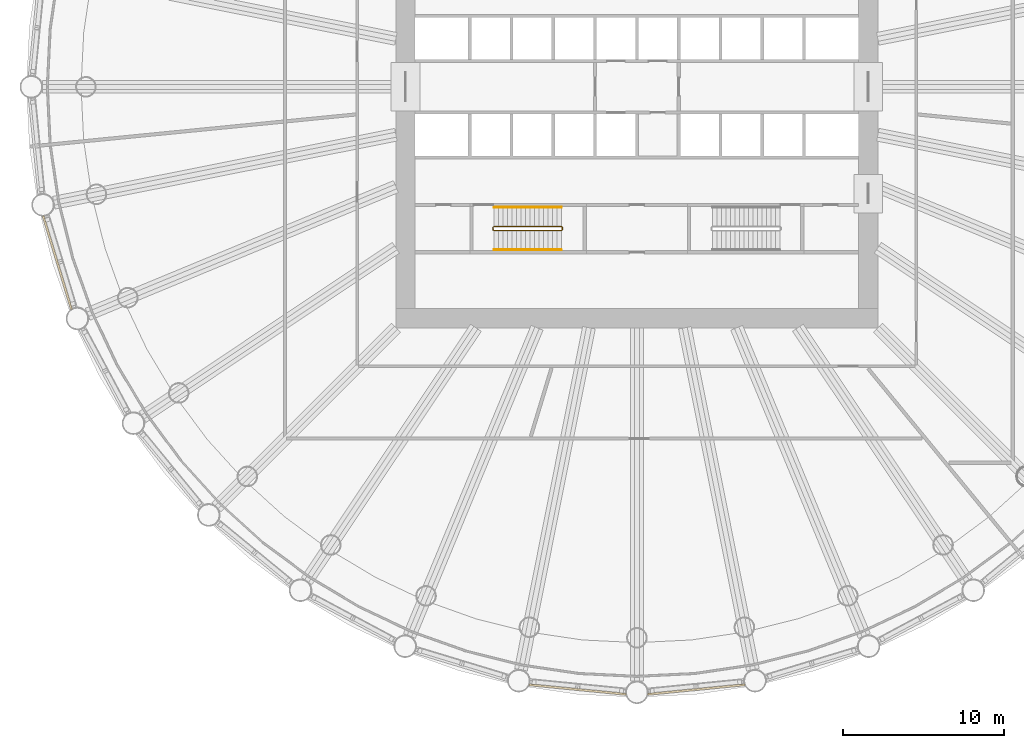
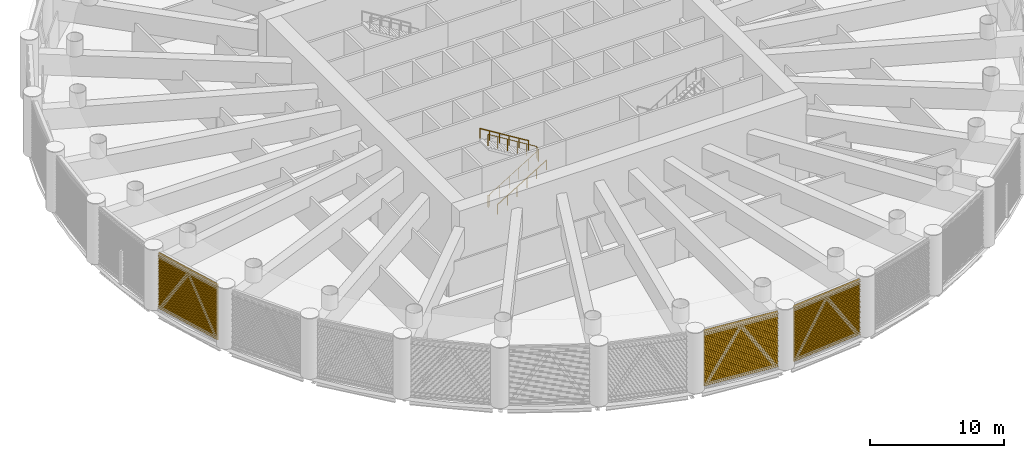
# One storey, part 20 of 26: 3 railings, 3 shading devices, 3 elements without a shape of their own.
"""IFC4 building model written with IfcOpenShell, lengths in metres."""

from ifc_helpers import new_model, si_unit, direction, frame, origin, origin_2d, place, context, subcontext, project, spatial, polyline, circle, outline, extrude, material, material_profile, profile_set, type_object, element, aggregate, save


model = new_model("IFC4")

# Units and contexts
model_context = context("Model", 3, precision=1e-05, world=origin(), true_north=direction((0.0, 1.0)))
body_context = subcontext(model_context, "Body", "Model", "MODEL_VIEW")
ifc_project = project(units=[si_unit("LENGTHUNIT", "METRE"), si_unit("AREAUNIT", "SQUARE_METRE"), si_unit("VOLUMEUNIT", "CUBIC_METRE"), si_unit("PLANEANGLEUNIT", "RADIAN"), si_unit("MASSUNIT", "GRAM", prefix="KILO")], contexts=[model_context])

# Site, building, storey
site_placement = place(None, origin())
site = spatial("IfcSite", under=ifc_project, at=site_placement, CompositionType="ELEMENT")
building_placement = place(site_placement, origin())
building = spatial("IfcBuilding", under=site, at=building_placement, Name="Corvane Civic Tower", CompositionType="ELEMENT")
storey_placement = place(building_placement, frame((0.0, 0.0, 85.0)))
storey = spatial("IfcBuildingStorey", under=building, at=storey_placement, Name="L19", CompositionType="ELEMENT", Elevation=85.0)

# Railings
ifc_material_1 = material(Name="Steel ASTM A572 Gr 50", Category="steel")
railing_type_1 = type_object("IfcRailingType", Name="ST-GUARD-1100", PredefinedType="GUARDRAIL", material=ifc_material_1)
railing_1_placement = place(storey_placement, frame((-8.949951171875, -8.75, 0.0)))
element("IfcRailing", 1, at=railing_1_placement, inside=storey, type_object=railing_type_1, Name="L19 ST3 stair guard 1", PredefinedType="GUARDRAIL", context=body_context, shape_type="SweptSolid", body=[
    extrude(circle(Radius=0.02392578125, at=origin_2d()), frame((0.0, 0.0, 1.076171875), z_axis=(0.0, -1.0, 0.0), x_axis=(1.0, 0.0, 0.0)), (0.0, 0.0, 1.0), 0.14990234375),
    extrude(circle(Radius=0.02392578125, at=origin_2d()), frame((0.0, -0.14990234375, 1.076171875), z_axis=(0.269255725606, -0.269255725606, 0.92466356501), x_axis=(0.707106781187, 0.707106781187, 0.0)), (0.0, 0.0, 1.0), 0.185791015625),
    extrude(circle(Radius=0.02392578125, at=origin_2d()), frame((0.050048828125, -0.199951171875, 1.248046875), z_axis=(0.852242915053, 0.0, 0.523146264196), x_axis=(0.0, 1.0, 0.0)), (0.0, 0.0, 1.0), 4.92822265625),
    extrude(circle(Radius=0.02392578125, at=origin_2d()), frame((4.25, -0.199951171875, 3.826171875), z_axis=(0.707106781187, 0.707106781187, 0.0), x_axis=(-0.707106781187, 0.707106781187, 0.0)), (0.0, 0.0, 1.0), 0.07080078125),
    extrude(circle(Radius=0.02392578125, at=origin_2d()), frame((4.300048828125, -0.14990234375, 3.826171875), z_axis=(0.0, 1.0, 0.0), x_axis=(-1.0, 0.0, 0.0)), (0.0, 0.0, 1.0), 0.14990234375),
    extrude(circle(Radius=0.02392578125, at=origin_2d()), frame((4.300048828125, 0.0, 3.826171875), z_axis=(-0.269255725606, 0.269255725606, 0.92466356501), x_axis=(-0.707106781187, -0.707106781187, 0.0)), (0.0, 0.0, 1.0), 0.185791015625),
    extrude(circle(Radius=0.02392578125, at=origin_2d()), frame((4.25, 0.050048828125, 3.998046875), z_axis=(-0.852242915053, 0.0, 0.523146264196), x_axis=(0.0, -1.0, 0.0)), (0.0, 0.0, 1.0), 4.92822265625),
    extrude(circle(Radius=0.02099609375, at=origin_2d()), origin(), (0.0, 0.0, 1.0), 1.052001953125),
    extrude(circle(Radius=0.02099609375, at=origin_2d()), frame((0.0, -0.14990234375, 0.0)), (0.0, 0.0, 1.0), 1.052001953125),
    extrude(circle(Radius=0.02099609375, at=origin_2d()), frame((0.050048828125, -0.199951171875, 0.171875)), (0.0, 0.0, 1.0), 1.052001953125),
    extrude(circle(Radius=0.02099609375, at=origin_2d()), frame((0.89013671875, -0.199951171875, 0.6875)), (0.0, 0.0, 1.0), 1.052001953125),
    extrude(circle(Radius=0.02099609375, at=origin_2d()), frame((1.72998046875, -0.199951171875, 1.203125)), (0.0, 0.0, 1.0), 1.052001953125),
    extrude(circle(Radius=0.02099609375, at=origin_2d()), frame((2.570068359375, -0.199951171875, 1.71875)), (0.0, 0.0, 1.0), 1.052001953125),
    extrude(circle(Radius=0.02099609375, at=origin_2d()), frame((3.409912109375, -0.199951171875, 2.234375)), (0.0, 0.0, 1.0), 1.052001953125),
    extrude(circle(Radius=0.02099609375, at=origin_2d()), frame((4.25, -0.199951171875, 2.75)), (0.0, 0.0, 1.0), 1.052001953125),
    extrude(circle(Radius=0.02099609375, at=origin_2d()), frame((4.300048828125, -0.14990234375, 2.75)), (0.0, 0.0, 1.0), 1.052001953125),
    extrude(circle(Radius=0.02099609375, at=origin_2d()), frame((4.300048828125, 0.0, 2.75)), (0.0, 0.0, 1.0), 1.052001953125),
    extrude(circle(Radius=0.02099609375, at=origin_2d()), frame((4.25, 0.050048828125, 2.921875)), (0.0, 0.0, 1.0), 1.052001953125),
    extrude(circle(Radius=0.02099609375, at=origin_2d()), frame((3.409912109375, 0.050048828125, 3.4375)), (0.0, 0.0, 1.0), 1.052001953125),
    extrude(circle(Radius=0.02099609375, at=origin_2d()), frame((2.570068359375, 0.050048828125, 3.953125)), (0.0, 0.0, 1.0), 1.052001953125),
    extrude(circle(Radius=0.02099609375, at=origin_2d()), frame((1.72998046875, 0.050048828125, 4.46875)), (0.0, 0.0, 1.0), 1.052001953125),
    extrude(circle(Radius=0.02099609375, at=origin_2d()), frame((0.89013671875, 0.050048828125, 4.984375)), (0.0, 0.0, 1.0), 1.052001953125),
    extrude(circle(Radius=0.02099609375, at=origin_2d()), frame((0.050048828125, 0.050048828125, 5.5)), (0.0, 0.0, 1.0), 1.052001953125),
])
ifc_material_2 = material(Name="Steel ASTM A572 Gr 50", Category="steel")
railing_type_2 = type_object("IfcRailingType", Name="ST-HANDRAIL-900", PredefinedType="HANDRAIL", material=ifc_material_2)
railing_2_placement = place(storey_placement, frame((-8.89990234375, -10.14990234375, 0.171875)))
element("IfcRailing", 2, at=railing_2_placement, inside=storey, type_object=railing_type_2, Name="L19 ST3 stair handrail 1", PredefinedType="HANDRAIL", context=body_context, shape_type="SweptSolid", body=[
    extrude(circle(Radius=0.02392578125, at=origin_2d()), frame((0.0, 0.0, 0.8759765625), z_axis=(0.852242915053, 0.0, 0.523146264196), x_axis=(0.0, 1.0, 0.0)), (0.0, 0.0, 1.0), 4.92822265625),
    extrude(circle(Radius=0.02099609375, at=origin_2d()), origin(), (0.0, 0.0, 1.0), 0.851806640625),
    extrude(circle(Radius=0.02099609375, at=origin_2d()), frame((0.840087890625, 0.0, 0.515625)), (0.0, 0.0, 1.0), 0.851806640625),
    extrude(circle(Radius=0.02099609375, at=origin_2d()), frame((1.679931640625, 0.0, 1.03125)), (0.0, 0.0, 1.0), 0.851806640625),
    extrude(circle(Radius=0.02099609375, at=origin_2d()), frame((2.52001953125, 0.0, 1.546875)), (0.0, 0.0, 1.0), 0.851806640625),
    extrude(circle(Radius=0.02099609375, at=origin_2d()), frame((3.35986328125, 0.0, 2.0625)), (0.0, 0.0, 1.0), 0.851806640625),
    extrude(circle(Radius=0.02099609375, at=origin_2d()), frame((4.199951171875, 0.0, 2.578125)), (0.0, 0.0, 1.0), 0.851806640625),
])
railing_3_placement = place(storey_placement, frame((-4.699951171875, -7.5, 2.921875)))
element("IfcRailing", 3, at=railing_3_placement, inside=storey, type_object=railing_type_2, Name="L19 ST3 stair handrail 2", PredefinedType="HANDRAIL", context=body_context, shape_type="SweptSolid", body=[
    extrude(circle(Radius=0.02392578125, at=origin_2d()), frame((0.0, 0.0, 0.8759765625), z_axis=(-0.852242915053, 0.0, 0.523146264196), x_axis=(0.0, -1.0, 0.0)), (0.0, 0.0, 1.0), 4.92822265625),
    extrude(circle(Radius=0.02099609375, at=origin_2d()), origin(), (0.0, 0.0, 1.0), 0.851806640625),
    extrude(circle(Radius=0.02099609375, at=origin_2d()), frame((-0.840087890625, 0.0, 0.515625)), (0.0, 0.0, 1.0), 0.851806640625),
    extrude(circle(Radius=0.02099609375, at=origin_2d()), frame((-1.679931640625, 0.0, 1.03125)), (0.0, 0.0, 1.0), 0.851806640625),
    extrude(circle(Radius=0.02099609375, at=origin_2d()), frame((-2.52001953125, 0.0, 1.546875)), (0.0, 0.0, 1.0), 0.851806640625),
    extrude(circle(Radius=0.02099609375, at=origin_2d()), frame((-3.35986328125, 0.0, 2.0625)), (0.0, 0.0, 1.0), 0.851806640625),
    extrude(circle(Radius=0.02099609375, at=origin_2d()), frame((-4.199951171875, 0.0, 2.578125)), (0.0, 0.0, 1.0), 0.851806640625),
])

# Curtain wall, shading device
ifc_material_3 = material(Name="Anodised aluminium bronze", Category="aluminium")
curtain_wall_type = type_object("IfcCurtainWallType", Name="TOWER CW-LV LOUVRE SCREEN WALL", PredefinedType="NOTDEFINED", material=ifc_material_3)
curtain_wall_1_placement = place(storey_placement, origin())
curtain_wall_1 = element("IfcCurtainWall", 4, at=curtain_wall_1_placement, inside=storey, type_object=curtain_wall_type, Name="Louvre screen wall CW-LV L19 bay 16", PredefinedType="NOTDEFINED")
ifc_material_4 = material(Name="Anodised aluminium bronze", Category="aluminium")
ifc_material_profile = material_profile(ifc_material_4, outline(polyline([(-0.06005859375, -2.56494140625), (-0.0400390625, -2.56494140625), (0.06005859375, -2.492919921875), (0.06005859375, -2.472900390625), (-0.0400390625, -2.544921875), (-0.0400390625, -2.4140625), (0.06005859375, -2.342041015625), (0.06005859375, -2.322021484375), (-0.0400390625, -2.39404296875), (-0.0400390625, -2.26318359375), (0.06005859375, -2.191162109375), (0.06005859375, -2.171142578125), (-0.0400390625, -2.2431640625), (-0.0400390625, -2.1123046875), (0.06005859375, -2.040283203125), (0.06005859375, -2.0205078125), (-0.0400390625, -2.09228515625), (-0.0400390625, -1.96142578125), (0.06005859375, -1.889404296875), (0.06005859375, -1.869384765625), (-0.0400390625, -1.94140625), (-0.0400390625, -1.810546875), (0.06005859375, -1.738525390625), (0.06005859375, -1.718505859375), (-0.0400390625, -1.79052734375), (-0.0400390625, -1.65966796875), (0.06005859375, -1.587646484375), (0.06005859375, -1.567626953125), (-0.0400390625, -1.6396484375), (-0.0400390625, -1.5087890625), (0.06005859375, -1.436767578125), (0.06005859375, -1.416748046875), (-0.0400390625, -1.48876953125), (-0.0400390625, -1.35791015625), (0.06005859375, -1.285888671875), (0.06005859375, -1.265869140625), (-0.0400390625, -1.337890625), (-0.0400390625, -1.20703125), (0.06005859375, -1.135009765625), (0.06005859375, -1.114990234375), (-0.0400390625, -1.18701171875), (-0.0400390625, -1.05615234375), (0.06005859375, -0.984130859375), (0.06005859375, -0.964111328125), (-0.0400390625, -1.0361328125), (-0.0400390625, -0.9052734375), (0.06005859375, -0.833251953125), (0.06005859375, -0.813232421875), (-0.0400390625, -0.88525390625), (-0.0400390625, -0.75439453125), (0.06005859375, -0.682373046875), (0.06005859375, -0.662353515625), (-0.0400390625, -0.734375), (-0.0400390625, -0.603515625), (0.06005859375, -0.531494140625), (0.06005859375, -0.511474609375), (-0.0400390625, -0.58349609375), (-0.0400390625, -0.45263671875), (0.06005859375, -0.380615234375), (0.06005859375, -0.360595703125), (-0.0400390625, -0.4326171875), (-0.0400390625, -0.3017578125), (0.06005859375, -0.229736328125), (0.06005859375, -0.209716796875), (-0.0400390625, -0.28173828125), (-0.0400390625, -0.15087890625), (0.06005859375, -0.078857421875), (0.06005859375, -0.058837890625), (-0.0400390625, -0.130859375), (-0.0400390625, 0.0), (0.06005859375, 0.072021484375), (0.06005859375, 0.092041015625), (-0.0400390625, 0.02001953125), (-0.0400390625, 0.15087890625), (0.06005859375, 0.222900390625), (0.06005859375, 0.242919921875), (-0.0400390625, 0.1708984375), (-0.0400390625, 0.3017578125), (0.06005859375, 0.373779296875), (0.06005859375, 0.393798828125), (-0.0400390625, 0.32177734375), (-0.0400390625, 0.45263671875), (0.06005859375, 0.524658203125), (0.06005859375, 0.544677734375), (-0.0400390625, 0.47265625), (-0.0400390625, 0.603515625), (0.06005859375, 0.675537109375), (0.06005859375, 0.695556640625), (-0.0400390625, 0.62353515625), (-0.0400390625, 0.75439453125), (0.06005859375, 0.826416015625), (0.06005859375, 0.846435546875), (-0.0400390625, 0.7744140625), (-0.0400390625, 0.9052734375), (0.06005859375, 0.977294921875), (0.06005859375, 0.997314453125), (-0.0400390625, 0.92529296875), (-0.0400390625, 1.05615234375), (0.06005859375, 1.128173828125), (0.06005859375, 1.148193359375), (-0.0400390625, 1.076171875), (-0.0400390625, 1.20703125), (0.06005859375, 1.279052734375), (0.06005859375, 1.299072265625), (-0.0400390625, 1.22705078125), (-0.0400390625, 1.35791015625), (0.06005859375, 1.429931640625), (0.06005859375, 1.449951171875), (-0.0400390625, 1.3779296875), (-0.0400390625, 1.5087890625), (0.06005859375, 1.580810546875), (0.06005859375, 1.600830078125), (-0.0400390625, 1.52880859375), (-0.0400390625, 1.65966796875), (0.06005859375, 1.731689453125), (0.06005859375, 1.751708984375), (-0.0400390625, 1.6796875), (-0.0400390625, 1.810546875), (0.06005859375, 1.882568359375), (0.06005859375, 1.902587890625), (-0.0400390625, 1.83056640625), (-0.0400390625, 1.96142578125), (0.06005859375, 2.033447265625), (0.06005859375, 2.053466796875), (-0.0400390625, 1.9814453125), (-0.0400390625, 2.1123046875), (0.06005859375, 2.184326171875), (0.06005859375, 2.204345703125), (-0.0400390625, 2.13232421875), (-0.0400390625, 2.26318359375), (0.06005859375, 2.335205078125), (0.06005859375, 2.355224609375), (-0.0400390625, 2.283203125), (-0.0400390625, 2.4140625), (0.06005859375, 2.486083984375), (0.06005859375, 2.506103515625), (-0.0400390625, 2.43408203125), (-0.0400390625, 2.56494140625), (-0.06005859375, 2.56494140625), (-0.06005859375, -2.56494140625)])), Name="TOWER LOUVRE BANK 5130 BRONZE")
ifc_profile_set = profile_set([ifc_material_profile], Name="Anodised aluminium bronze")
shading_device_type = type_object("IfcShadingDeviceType", Name="TOWER LOUVRE BANK 5130 BRONZE", PredefinedType="USERDEFINED", material=ifc_profile_set)
shading_device_1_placement = place(storey_placement, frame((6.72900390625, -37.21728515625, 2.68505859375), z_axis=(-0.995188262136, -0.097981237525, 0.0), x_axis=(0.097981237525, -0.995188262136, 0.0)))
shading_device_1 = element("IfcShadingDevice", 5, at=shading_device_1_placement, type_object=shading_device_type, Name="Louvre bank L19 16.1", ObjectType="LOUVRE", PredefinedType="USERDEFINED", context=body_context, shape_type="SweptSolid", body=[
    extrude(outline(polyline([(-0.06005859375, -2.56494140625), (-0.0400390625, -2.56494140625), (0.06005859375, -2.492919921875), (0.06005859375, -2.472900390625), (-0.0400390625, -2.544921875), (-0.0400390625, -2.4140625), (0.06005859375, -2.342041015625), (0.06005859375, -2.322021484375), (-0.0400390625, -2.39404296875), (-0.0400390625, -2.26318359375), (0.06005859375, -2.191162109375), (0.06005859375, -2.171142578125), (-0.0400390625, -2.2431640625), (-0.0400390625, -2.1123046875), (0.06005859375, -2.040283203125), (0.06005859375, -2.0205078125), (-0.0400390625, -2.09228515625), (-0.0400390625, -1.96142578125), (0.06005859375, -1.889404296875), (0.06005859375, -1.869384765625), (-0.0400390625, -1.94140625), (-0.0400390625, -1.810546875), (0.06005859375, -1.738525390625), (0.06005859375, -1.718505859375), (-0.0400390625, -1.79052734375), (-0.0400390625, -1.65966796875), (0.06005859375, -1.587646484375), (0.06005859375, -1.567626953125), (-0.0400390625, -1.6396484375), (-0.0400390625, -1.5087890625), (0.06005859375, -1.436767578125), (0.06005859375, -1.416748046875), (-0.0400390625, -1.48876953125), (-0.0400390625, -1.35791015625), (0.06005859375, -1.285888671875), (0.06005859375, -1.265869140625), (-0.0400390625, -1.337890625), (-0.0400390625, -1.20703125), (0.06005859375, -1.135009765625), (0.06005859375, -1.114990234375), (-0.0400390625, -1.18701171875), (-0.0400390625, -1.05615234375), (0.06005859375, -0.984130859375), (0.06005859375, -0.964111328125), (-0.0400390625, -1.0361328125), (-0.0400390625, -0.9052734375), (0.06005859375, -0.833251953125), (0.06005859375, -0.813232421875), (-0.0400390625, -0.88525390625), (-0.0400390625, -0.75439453125), (0.06005859375, -0.682373046875), (0.06005859375, -0.662353515625), (-0.0400390625, -0.734375), (-0.0400390625, -0.603515625), (0.06005859375, -0.531494140625), (0.06005859375, -0.511474609375), (-0.0400390625, -0.58349609375), (-0.0400390625, -0.45263671875), (0.06005859375, -0.380615234375), (0.06005859375, -0.360595703125), (-0.0400390625, -0.4326171875), (-0.0400390625, -0.3017578125), (0.06005859375, -0.229736328125), (0.06005859375, -0.209716796875), (-0.0400390625, -0.28173828125), (-0.0400390625, -0.15087890625), (0.06005859375, -0.078857421875), (0.06005859375, -0.058837890625), (-0.0400390625, -0.130859375), (-0.0400390625, 0.0), (0.06005859375, 0.072021484375), (0.06005859375, 0.092041015625), (-0.0400390625, 0.02001953125), (-0.0400390625, 0.15087890625), (0.06005859375, 0.222900390625), (0.06005859375, 0.242919921875), (-0.0400390625, 0.1708984375), (-0.0400390625, 0.3017578125), (0.06005859375, 0.373779296875), (0.06005859375, 0.393798828125), (-0.0400390625, 0.32177734375), (-0.0400390625, 0.45263671875), (0.06005859375, 0.524658203125), (0.06005859375, 0.544677734375), (-0.0400390625, 0.47265625), (-0.0400390625, 0.603515625), (0.06005859375, 0.675537109375), (0.06005859375, 0.695556640625), (-0.0400390625, 0.62353515625), (-0.0400390625, 0.75439453125), (0.06005859375, 0.826416015625), (0.06005859375, 0.846435546875), (-0.0400390625, 0.7744140625), (-0.0400390625, 0.9052734375), (0.06005859375, 0.977294921875), (0.06005859375, 0.997314453125), (-0.0400390625, 0.92529296875), (-0.0400390625, 1.05615234375), (0.06005859375, 1.128173828125), (0.06005859375, 1.148193359375), (-0.0400390625, 1.076171875), (-0.0400390625, 1.20703125), (0.06005859375, 1.279052734375), (0.06005859375, 1.299072265625), (-0.0400390625, 1.22705078125), (-0.0400390625, 1.35791015625), (0.06005859375, 1.429931640625), (0.06005859375, 1.449951171875), (-0.0400390625, 1.3779296875), (-0.0400390625, 1.5087890625), (0.06005859375, 1.580810546875), (0.06005859375, 1.600830078125), (-0.0400390625, 1.52880859375), (-0.0400390625, 1.65966796875), (0.06005859375, 1.731689453125), (0.06005859375, 1.751708984375), (-0.0400390625, 1.6796875), (-0.0400390625, 1.810546875), (0.06005859375, 1.882568359375), (0.06005859375, 1.902587890625), (-0.0400390625, 1.83056640625), (-0.0400390625, 1.96142578125), (0.06005859375, 2.033447265625), (0.06005859375, 2.053466796875), (-0.0400390625, 1.9814453125), (-0.0400390625, 2.1123046875), (0.06005859375, 2.184326171875), (0.06005859375, 2.204345703125), (-0.0400390625, 2.13232421875), (-0.0400390625, 2.26318359375), (0.06005859375, 2.335205078125), (0.06005859375, 2.355224609375), (-0.0400390625, 2.283203125), (-0.0400390625, 2.4140625), (0.06005859375, 2.486083984375), (0.06005859375, 2.506103515625), (-0.0400390625, 2.43408203125), (-0.0400390625, 2.56494140625), (-0.06005859375, 2.56494140625), (-0.06005859375, -2.56494140625)])), origin(), (0.0, 0.0, 1.0), 6.09716796875),
])
aggregate(curtain_wall_1, [shading_device_1])

curtain_wall_2_placement = place(storey_placement, origin())
curtain_wall_2 = element("IfcCurtainWall", 6, at=curtain_wall_2_placement, inside=storey, type_object=curtain_wall_type, Name="Louvre screen wall CW-LV L19 bay 17", PredefinedType="NOTDEFINED")
shading_device_2_placement = place(storey_placement, frame((-0.6611328125, -37.814697265625, 2.68505859375), z_axis=(-0.995188262136, 0.097981237525, 0.0), x_axis=(-0.097981237525, -0.995188262136, 0.0)))
shading_device_2 = element("IfcShadingDevice", 7, at=shading_device_2_placement, type_object=shading_device_type, Name="Louvre bank L19 17.1", ObjectType="LOUVRE", PredefinedType="USERDEFINED", context=body_context, shape_type="SweptSolid", body=[
    extrude(outline(polyline([(-0.06005859375, -2.56494140625), (-0.0400390625, -2.56494140625), (0.06005859375, -2.492919921875), (0.06005859375, -2.472900390625), (-0.0400390625, -2.544921875), (-0.0400390625, -2.4140625), (0.06005859375, -2.342041015625), (0.06005859375, -2.322021484375), (-0.0400390625, -2.39404296875), (-0.0400390625, -2.26318359375), (0.06005859375, -2.191162109375), (0.06005859375, -2.171142578125), (-0.0400390625, -2.2431640625), (-0.0400390625, -2.1123046875), (0.06005859375, -2.040283203125), (0.06005859375, -2.0205078125), (-0.0400390625, -2.09228515625), (-0.0400390625, -1.96142578125), (0.06005859375, -1.889404296875), (0.06005859375, -1.869384765625), (-0.0400390625, -1.94140625), (-0.0400390625, -1.810546875), (0.06005859375, -1.738525390625), (0.06005859375, -1.718505859375), (-0.0400390625, -1.79052734375), (-0.0400390625, -1.65966796875), (0.06005859375, -1.587646484375), (0.06005859375, -1.567626953125), (-0.0400390625, -1.6396484375), (-0.0400390625, -1.5087890625), (0.06005859375, -1.436767578125), (0.06005859375, -1.416748046875), (-0.0400390625, -1.48876953125), (-0.0400390625, -1.35791015625), (0.06005859375, -1.285888671875), (0.06005859375, -1.265869140625), (-0.0400390625, -1.337890625), (-0.0400390625, -1.20703125), (0.06005859375, -1.135009765625), (0.06005859375, -1.114990234375), (-0.0400390625, -1.18701171875), (-0.0400390625, -1.05615234375), (0.06005859375, -0.984130859375), (0.06005859375, -0.964111328125), (-0.0400390625, -1.0361328125), (-0.0400390625, -0.9052734375), (0.06005859375, -0.833251953125), (0.06005859375, -0.813232421875), (-0.0400390625, -0.88525390625), (-0.0400390625, -0.75439453125), (0.06005859375, -0.682373046875), (0.06005859375, -0.662353515625), (-0.0400390625, -0.734375), (-0.0400390625, -0.603515625), (0.06005859375, -0.531494140625), (0.06005859375, -0.511474609375), (-0.0400390625, -0.58349609375), (-0.0400390625, -0.45263671875), (0.06005859375, -0.380615234375), (0.06005859375, -0.360595703125), (-0.0400390625, -0.4326171875), (-0.0400390625, -0.3017578125), (0.06005859375, -0.229736328125), (0.06005859375, -0.209716796875), (-0.0400390625, -0.28173828125), (-0.0400390625, -0.15087890625), (0.06005859375, -0.078857421875), (0.06005859375, -0.058837890625), (-0.0400390625, -0.130859375), (-0.0400390625, 0.0), (0.06005859375, 0.072021484375), (0.06005859375, 0.092041015625), (-0.0400390625, 0.02001953125), (-0.0400390625, 0.15087890625), (0.06005859375, 0.222900390625), (0.06005859375, 0.242919921875), (-0.0400390625, 0.1708984375), (-0.0400390625, 0.3017578125), (0.06005859375, 0.373779296875), (0.06005859375, 0.393798828125), (-0.0400390625, 0.32177734375), (-0.0400390625, 0.45263671875), (0.06005859375, 0.524658203125), (0.06005859375, 0.544677734375), (-0.0400390625, 0.47265625), (-0.0400390625, 0.603515625), (0.06005859375, 0.675537109375), (0.06005859375, 0.695556640625), (-0.0400390625, 0.62353515625), (-0.0400390625, 0.75439453125), (0.06005859375, 0.826416015625), (0.06005859375, 0.846435546875), (-0.0400390625, 0.7744140625), (-0.0400390625, 0.9052734375), (0.06005859375, 0.977294921875), (0.06005859375, 0.997314453125), (-0.0400390625, 0.92529296875), (-0.0400390625, 1.05615234375), (0.06005859375, 1.128173828125), (0.06005859375, 1.148193359375), (-0.0400390625, 1.076171875), (-0.0400390625, 1.20703125), (0.06005859375, 1.279052734375), (0.06005859375, 1.299072265625), (-0.0400390625, 1.22705078125), (-0.0400390625, 1.35791015625), (0.06005859375, 1.429931640625), (0.06005859375, 1.449951171875), (-0.0400390625, 1.3779296875), (-0.0400390625, 1.5087890625), (0.06005859375, 1.580810546875), (0.06005859375, 1.600830078125), (-0.0400390625, 1.52880859375), (-0.0400390625, 1.65966796875), (0.06005859375, 1.731689453125), (0.06005859375, 1.751708984375), (-0.0400390625, 1.6796875), (-0.0400390625, 1.810546875), (0.06005859375, 1.882568359375), (0.06005859375, 1.902587890625), (-0.0400390625, 1.83056640625), (-0.0400390625, 1.96142578125), (0.06005859375, 2.033447265625), (0.06005859375, 2.053466796875), (-0.0400390625, 1.9814453125), (-0.0400390625, 2.1123046875), (0.06005859375, 2.184326171875), (0.06005859375, 2.204345703125), (-0.0400390625, 2.13232421875), (-0.0400390625, 2.26318359375), (0.06005859375, 2.335205078125), (0.06005859375, 2.355224609375), (-0.0400390625, 2.283203125), (-0.0400390625, 2.4140625), (0.06005859375, 2.486083984375), (0.06005859375, 2.506103515625), (-0.0400390625, 2.43408203125), (-0.0400390625, 2.56494140625), (-0.06005859375, 2.56494140625), (-0.06005859375, -2.56494140625)])), origin(), (0.0, 0.0, 1.0), 6.09716796875),
])
aggregate(curtain_wall_2, [shading_device_2])

curtain_wall_3_placement = place(storey_placement, origin())
curtain_wall_3 = element("IfcCurtainWall", 8, at=curtain_wall_3_placement, inside=storey, type_object=curtain_wall_type, Name="Louvre screen wall CW-LV L19 bay 23", PredefinedType="NOTDEFINED")
shading_device_3_placement = place(storey_placement, frame((-35.189453125, -13.8603515625, 2.68505859375), z_axis=(-0.29027077816, 0.956944551866, 0.0), x_axis=(-0.956944551866, -0.29027077816, 0.0)))
shading_device_3 = element("IfcShadingDevice", 9, at=shading_device_3_placement, type_object=shading_device_type, Name="Louvre bank L19 23.1", ObjectType="LOUVRE", PredefinedType="USERDEFINED", context=body_context, shape_type="SweptSolid", body=[
    extrude(outline(polyline([(-0.06005859375, -2.56494140625), (-0.0400390625, -2.56494140625), (0.06005859375, -2.492919921875), (0.06005859375, -2.472900390625), (-0.0400390625, -2.544921875), (-0.0400390625, -2.4140625), (0.06005859375, -2.342041015625), (0.06005859375, -2.322021484375), (-0.0400390625, -2.39404296875), (-0.0400390625, -2.26318359375), (0.06005859375, -2.191162109375), (0.06005859375, -2.171142578125), (-0.0400390625, -2.2431640625), (-0.0400390625, -2.1123046875), (0.06005859375, -2.040283203125), (0.06005859375, -2.0205078125), (-0.0400390625, -2.09228515625), (-0.0400390625, -1.96142578125), (0.06005859375, -1.889404296875), (0.06005859375, -1.869384765625), (-0.0400390625, -1.94140625), (-0.0400390625, -1.810546875), (0.06005859375, -1.738525390625), (0.06005859375, -1.718505859375), (-0.0400390625, -1.79052734375), (-0.0400390625, -1.65966796875), (0.06005859375, -1.587646484375), (0.06005859375, -1.567626953125), (-0.0400390625, -1.6396484375), (-0.0400390625, -1.5087890625), (0.06005859375, -1.436767578125), (0.06005859375, -1.416748046875), (-0.0400390625, -1.48876953125), (-0.0400390625, -1.35791015625), (0.06005859375, -1.285888671875), (0.06005859375, -1.265869140625), (-0.0400390625, -1.337890625), (-0.0400390625, -1.20703125), (0.06005859375, -1.135009765625), (0.06005859375, -1.114990234375), (-0.0400390625, -1.18701171875), (-0.0400390625, -1.05615234375), (0.06005859375, -0.984130859375), (0.06005859375, -0.964111328125), (-0.0400390625, -1.0361328125), (-0.0400390625, -0.9052734375), (0.06005859375, -0.833251953125), (0.06005859375, -0.813232421875), (-0.0400390625, -0.88525390625), (-0.0400390625, -0.75439453125), (0.06005859375, -0.682373046875), (0.06005859375, -0.662353515625), (-0.0400390625, -0.734375), (-0.0400390625, -0.603515625), (0.06005859375, -0.531494140625), (0.06005859375, -0.511474609375), (-0.0400390625, -0.58349609375), (-0.0400390625, -0.45263671875), (0.06005859375, -0.380615234375), (0.06005859375, -0.360595703125), (-0.0400390625, -0.4326171875), (-0.0400390625, -0.3017578125), (0.06005859375, -0.229736328125), (0.06005859375, -0.209716796875), (-0.0400390625, -0.28173828125), (-0.0400390625, -0.15087890625), (0.06005859375, -0.078857421875), (0.06005859375, -0.058837890625), (-0.0400390625, -0.130859375), (-0.0400390625, 0.0), (0.06005859375, 0.072021484375), (0.06005859375, 0.092041015625), (-0.0400390625, 0.02001953125), (-0.0400390625, 0.15087890625), (0.06005859375, 0.222900390625), (0.06005859375, 0.242919921875), (-0.0400390625, 0.1708984375), (-0.0400390625, 0.3017578125), (0.06005859375, 0.373779296875), (0.06005859375, 0.393798828125), (-0.0400390625, 0.32177734375), (-0.0400390625, 0.45263671875), (0.06005859375, 0.524658203125), (0.06005859375, 0.544677734375), (-0.0400390625, 0.47265625), (-0.0400390625, 0.603515625), (0.06005859375, 0.675537109375), (0.06005859375, 0.695556640625), (-0.0400390625, 0.62353515625), (-0.0400390625, 0.75439453125), (0.06005859375, 0.826416015625), (0.06005859375, 0.846435546875), (-0.0400390625, 0.7744140625), (-0.0400390625, 0.9052734375), (0.06005859375, 0.977294921875), (0.06005859375, 0.997314453125), (-0.0400390625, 0.92529296875), (-0.0400390625, 1.05615234375), (0.06005859375, 1.128173828125), (0.06005859375, 1.148193359375), (-0.0400390625, 1.076171875), (-0.0400390625, 1.20703125), (0.06005859375, 1.279052734375), (0.06005859375, 1.299072265625), (-0.0400390625, 1.22705078125), (-0.0400390625, 1.35791015625), (0.06005859375, 1.429931640625), (0.06005859375, 1.449951171875), (-0.0400390625, 1.3779296875), (-0.0400390625, 1.5087890625), (0.06005859375, 1.580810546875), (0.06005859375, 1.600830078125), (-0.0400390625, 1.52880859375), (-0.0400390625, 1.65966796875), (0.06005859375, 1.731689453125), (0.06005859375, 1.751708984375), (-0.0400390625, 1.6796875), (-0.0400390625, 1.810546875), (0.06005859375, 1.882568359375), (0.06005859375, 1.902587890625), (-0.0400390625, 1.83056640625), (-0.0400390625, 1.96142578125), (0.06005859375, 2.033447265625), (0.06005859375, 2.053466796875), (-0.0400390625, 1.9814453125), (-0.0400390625, 2.1123046875), (0.06005859375, 2.184326171875), (0.06005859375, 2.204345703125), (-0.0400390625, 2.13232421875), (-0.0400390625, 2.26318359375), (0.06005859375, 2.335205078125), (0.06005859375, 2.355224609375), (-0.0400390625, 2.283203125), (-0.0400390625, 2.4140625), (0.06005859375, 2.486083984375), (0.06005859375, 2.506103515625), (-0.0400390625, 2.43408203125), (-0.0400390625, 2.56494140625), (-0.06005859375, 2.56494140625), (-0.06005859375, -2.56494140625)])), origin(), (0.0, 0.0, 1.0), 6.096923828125),
])
aggregate(curtain_wall_3, [shading_device_3])

save(model, "model.ifc")
